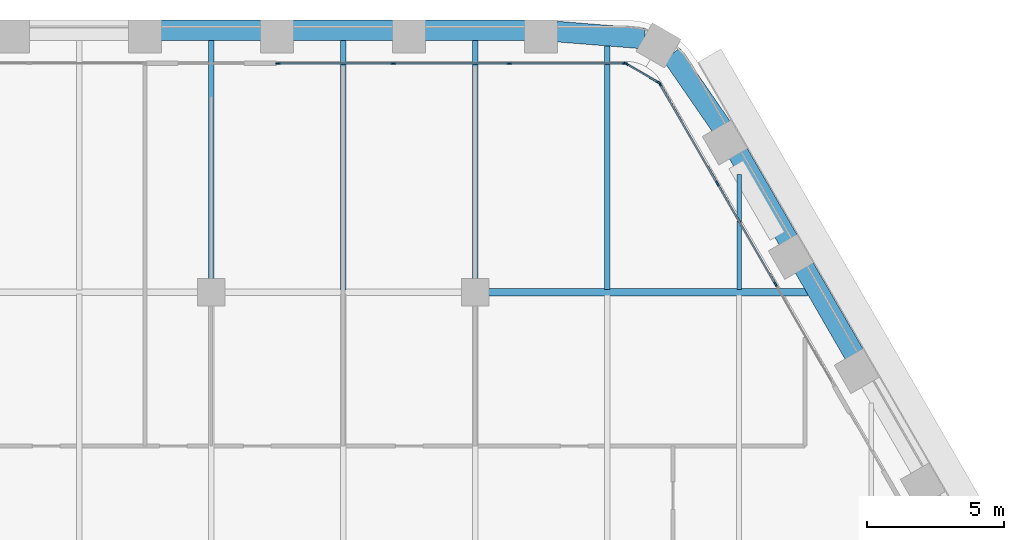
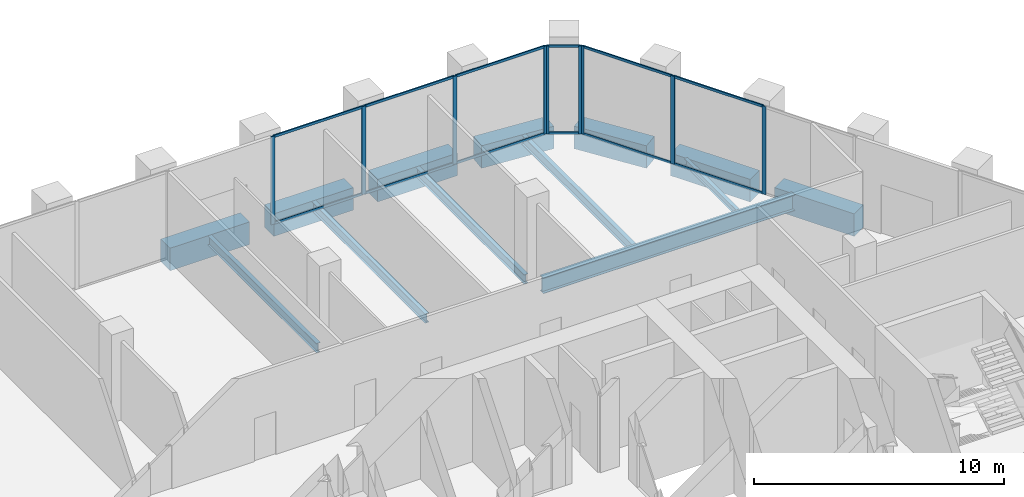
# One storey, part 9 of 23: 21 members, 13 beams, 3 elements without a shape of their own.
"""IFC4 building model written with IfcOpenShell, lengths in metres."""

from ifc_helpers import new_model, si_unit, direction, frame, origin, origin_2d, place, context, subcontext, project, spatial, rectangle, i_section, extrude, material, material_profile, profile_set, type_object, element, aggregate, save


model = new_model("IFC4")

# Units and contexts
model_context = context("Model", 3, precision=1e-05, world=origin(), true_north=direction((0.0, 1.0)))
body_context = subcontext(model_context, "Body", "Model", "MODEL_VIEW")
ifc_project = project(units=[si_unit("LENGTHUNIT", "METRE"), si_unit("AREAUNIT", "SQUARE_METRE"), si_unit("VOLUMEUNIT", "CUBIC_METRE"), si_unit("PLANEANGLEUNIT", "RADIAN"), si_unit("MASSUNIT", "GRAM", prefix="KILO")], contexts=[model_context])

# Site, building, storey
site_placement = place(None, origin())
site = spatial("IfcSite", under=ifc_project, at=site_placement, CompositionType="ELEMENT")
building_placement = place(site_placement, origin())
building = spatial("IfcBuilding", under=site, at=building_placement, Name="Kolab Exchange Tower", CompositionType="ELEMENT")
storey_placement = place(building_placement, frame((0.0, 0.0, 100.39990234375)))
storey = spatial("IfcBuildingStorey", under=building, at=storey_placement, Name="L19", CompositionType="ELEMENT", Elevation=100.39990234375)

# Beams
ifc_material_1 = material(Name="Steel S355", Category="steel")
ifc_material_profile_1 = material_profile(ifc_material_1, i_section(OverallWidth=0.1650390625, OverallDepth=0.31005859375, WebThickness=0.005859375, FlangeThickness=0.009765625, at=origin_2d()), Name="W310X39")
ifc_profile_set_1 = profile_set([ifc_material_profile_1], Name="Steel S355")
beam_type_1 = type_object("IfcBeamType", Name="FLOOR BEAM W310X39", PredefinedType="BEAM", material=ifc_profile_set_1)
beam_1_placement = place(storey_placement, frame((19.199951171875, 19.29345703125, -0.35498046875), z_axis=(0.0, 1.0, 0.0), x_axis=(-1.0, 0.0, 0.0)))
element("IfcBeam", 1, at=beam_1_placement, inside=storey, type_object=beam_type_1, Name="beam/L19/fr/045", PredefinedType="BEAM", context=body_context, shape_type="SweptSolid", body=[
    extrude(i_section(OverallWidth=0.1650390625, OverallDepth=0.31005859375, WebThickness=0.005859375, FlangeThickness=0.009765625, at=origin_2d()), origin(), (0.0, 0.0, 1.0), 4.18798828125),
])
ifc_material_profile_2 = material_profile(ifc_material_1, i_section(OverallWidth=0.18994140625, OverallDepth=0.45703125, WebThickness=0.009033203125, FlangeThickness=0.014404296875, at=origin_2d()), Name="W460X74")
ifc_profile_set_2 = profile_set([ifc_material_profile_2], Name="Steel S355")
beam_type_2 = type_object("IfcBeamType", Name="FLOOR BEAM W460X74", PredefinedType="BEAM", material=ifc_profile_set_2)
beam_2_placement = place(storey_placement, frame((0.0, 19.659912109375, -0.428466796875), z_axis=(0.0, 1.0, 0.0), x_axis=(-1.0, 0.0, 0.0)))
element("IfcBeam", 2, at=beam_2_placement, inside=storey, type_object=beam_type_2, Name="beam/L19/fr/027", PredefinedType="BEAM", context=body_context, shape_type="SweptSolid", body=[
    extrude(i_section(OverallWidth=0.18994140625, OverallDepth=0.45703125, WebThickness=0.009033203125, FlangeThickness=0.014404296875, at=origin_2d()), origin(), (0.0, 0.0, 1.0), 8.728515625),
])
beam_3_placement = place(storey_placement, frame((4.800048828125, 19.27392578125, -0.428466796875), z_axis=(0.0, 1.0, 0.0), x_axis=(-1.0, 0.0, 0.0)))
element("IfcBeam", 3, at=beam_3_placement, inside=storey, type_object=beam_type_2, Name="beam/L19/fr/031", PredefinedType="BEAM", context=body_context, shape_type="SweptSolid", body=[
    extrude(i_section(OverallWidth=0.18994140625, OverallDepth=0.45703125, WebThickness=0.009033203125, FlangeThickness=0.014404296875, at=origin_2d()), origin(), (0.0, 0.0, 1.0), 9.114501953125),
])
beam_4_placement = place(storey_placement, frame((9.60009765625, 19.659912109375, -0.428466796875), z_axis=(0.0, 1.0, 0.0), x_axis=(-1.0, 0.0, 0.0)))
element("IfcBeam", 4, at=beam_4_placement, inside=storey, type_object=beam_type_2, Name="beam/L19/fr/035", PredefinedType="BEAM", context=body_context, shape_type="SweptSolid", body=[
    extrude(i_section(OverallWidth=0.18994140625, OverallDepth=0.45703125, WebThickness=0.009033203125, FlangeThickness=0.014404296875, at=origin_2d()), origin(), (0.0, 0.0, 1.0), 8.728515625),
])
beam_5_placement = place(storey_placement, frame((14.39990234375, 19.29345703125, -0.428466796875), z_axis=(0.0, 1.0, 0.0), x_axis=(-1.0, 0.0, 0.0)))
element("IfcBeam", 5, at=beam_5_placement, inside=storey, type_object=beam_type_2, Name="beam/L19/fr/039", PredefinedType="BEAM", context=body_context, shape_type="SweptSolid", body=[
    extrude(i_section(OverallWidth=0.18994140625, OverallDepth=0.45703125, WebThickness=0.009033203125, FlangeThickness=0.014404296875, at=origin_2d()), origin(), (0.0, 0.0, 1.0), 8.901123046875),
])
ifc_material_profile_3 = material_profile(ifc_material_1, i_section(OverallWidth=0.26708984375, OverallDepth=0.761962890625, WebThickness=0.014404296875, FlangeThickness=0.021484375, at=origin_2d()), Name="W760X173")
ifc_profile_set_3 = profile_set([ifc_material_profile_3], Name="Steel S355")
beam_type_3 = type_object("IfcBeamType", Name="FLOOR GIRDER W760X173", PredefinedType="BEAM", material=ifc_profile_set_3)
beam_6_placement = place(storey_placement, frame((10.06005859375, 19.199951171875, -0.580810546875), z_axis=(1.0, 0.0, 0.0), x_axis=(0.0, 1.0, 0.0)))
element("IfcBeam", 6, at=beam_6_placement, inside=storey, type_object=beam_type_3, Name="beam/L19/gd/013", PredefinedType="BEAM", context=body_context, shape_type="SweptSolid", body=[
    extrude(i_section(OverallWidth=0.26708984375, OverallDepth=0.761962890625, WebThickness=0.014404296875, FlangeThickness=0.021484375, at=origin_2d()), origin(), (0.0, 0.0, 1.0), 11.628662109375),
])
ifc_material_2 = material(Name="Concrete C70/85", Category="concrete")
ifc_material_profile_4 = material_profile(ifc_material_2, rectangle(XDim=0.75, YDim=1.10009765625, at=origin_2d()), Name="RC750X1100")
ifc_profile_set_4 = profile_set([ifc_material_profile_4], Name="Concrete C70/85")
beam_type_4 = type_object("IfcBeamType", Name="SPANDREL BEAM 750X1100 C70/85", PredefinedType="BEAM", material=ifc_profile_set_4)
beam_7_placement = place(storey_placement, frame((-1.840087890625, 28.723388671875, -0.75), z_axis=(1.0, 0.0, 0.0), x_axis=(0.0, 1.0, 0.0)))
element("IfcBeam", 7, at=beam_7_placement, inside=storey, type_object=beam_type_4, Name="beam/L19/sp/F1-04", PredefinedType="BEAM", context=body_context, shape_type="SweptSolid", body=[
    extrude(rectangle(XDim=0.75, YDim=1.10009765625, at=origin_2d()), origin(), (0.0, 0.0, 1.0), 3.68017578125),
])
for number, where, z_axis, x_axis, name in (
    (8, (2.9599609375, 28.723388671875, -0.75), (1.0, 0.0, 0.0), (0.0, 1.0, 0.0), "beam/L19/sp/F1-05"),
    (9, (7.760009765625, 28.723388671875, -0.75), (1.0, 0.0, 0.0), (0.0, 1.0, 0.0), "beam/L19/sp/F1-06"),
):
    element("IfcBeam", number, at=place(storey_placement, frame(where, z_axis=z_axis, x_axis=x_axis)), inside=storey, type_object=beam_type_4, Name=name, PredefinedType="BEAM", context=body_context, shape_type="SweptSolid", body=[
        extrude(rectangle(XDim=0.75, YDim=1.10009765625, at=origin_2d()), origin(), (0.0, 0.0, 1.0), 3.679931640625),
    ])
for number, where, z_axis, x_axis, name in (
    (10, (12.56005859375, 28.678466796875, -0.75), (0.996791038408, -0.080047646748, 0.0), (0.080047646748, 0.996791038408, 0.0), "beam/L19/sp/F1-07"),
    (11, (16.73486328125, 27.85791015625, -0.75), (0.567661826262, -0.823261836237, 0.0), (0.823261836237, 0.567661826262, 0.0), "beam/L19/sp/F2-01"),
):
    element("IfcBeam", number, at=place(storey_placement, frame(where, z_axis=z_axis, x_axis=x_axis)), inside=storey, type_object=beam_type_4, Name=name, PredefinedType="BEAM", context=body_context, shape_type="SweptSolid", body=[
        extrude(rectangle(XDim=0.75, YDim=1.10009765625, at=origin_2d()), origin(), (0.0, 0.0, 1.0), 3.20849609375),
    ])
for number, where, z_axis, x_axis, name in (
    (12, (19.1552734375, 24.26904296875, -0.75), (0.500013413428, -0.866017659399, 0.0), (0.866017659399, 0.500013413428, 0.0), "beam/L19/sp/F2-02"),
    (13, (21.55517578125, 20.112060546875, -0.75), (0.500013413428, -0.866017659399, 0.0), (0.866017659399, 0.500013413428, 0.0), "beam/L19/sp/F2-03"),
):
    element("IfcBeam", number, at=place(storey_placement, frame(where, z_axis=z_axis, x_axis=x_axis)), inside=storey, type_object=beam_type_4, Name=name, PredefinedType="BEAM", context=body_context, shape_type="SweptSolid", body=[
        extrude(rectangle(XDim=0.75, YDim=1.10009765625, at=origin_2d()), origin(), (0.0, 0.0, 1.0), 3.68017578125),
    ])

# Curtain wall, members
ifc_material_3 = material(Name="Aluminium EN AW-6063 T6", Category="aluminium")
curtain_wall_type = type_object("IfcCurtainWallType", Name="UNITISED LOWER MID ZONE CURTAIN WALL", PredefinedType="NOTDEFINED", material=ifc_material_3)
curtain_wall_1_placement = place(storey_placement, origin())
curtain_wall_1 = element("IfcCurtainWall", 14, at=curtain_wall_1_placement, inside=storey, type_object=curtain_wall_type, Name="cw/L19/F1-2", PredefinedType="NOTDEFINED")
ifc_material_profile_5 = material_profile(ifc_material_3, rectangle(XDim=0.06005859375, YDim=0.179931640625, at=origin_2d()), Name="RECT 60X180")
ifc_profile_set_5 = profile_set([ifc_material_profile_5], Name="Aluminium EN AW-6063 T6")
member_type_1 = type_object("IfcMemberType", Name="UNITISED LOWER MID ZONE MULLION 60 X 180", PredefinedType="MULLION", material=ifc_profile_set_5)
member_1_placement = place(storey_placement, frame((2.429931640625, 27.5185546875, 0.0), z_axis=(0.0, 0.0, 1.0), x_axis=(0.0, 1.0, 0.0)))
member_1 = element("IfcMember", 15, at=member_1_placement, type_object=member_type_1, Name="CW2 mullion 1", PredefinedType="MULLION", context=body_context, shape_type="SweptSolid", body=[
    extrude(rectangle(XDim=0.06005859375, YDim=0.179931640625, at=origin_2d()), origin(), (0.0, 0.0, 1.0), 4.300048828125),
])
member_2_placement = place(storey_placement, frame((6.62255859375, 27.5185546875, 0.0), z_axis=(0.0, 0.0, 1.0), x_axis=(0.0, 1.0, 0.0)))
member_2 = element("IfcMember", 16, at=member_2_placement, type_object=member_type_1, Name="CW2 mullion 2", PredefinedType="MULLION", context=body_context, shape_type="SweptSolid", body=[
    extrude(rectangle(XDim=0.06005859375, YDim=0.179931640625, at=origin_2d()), origin(), (0.0, 0.0, 1.0), 4.300048828125),
])
member_3_placement = place(storey_placement, frame((10.84521484375, 27.5185546875, 0.0), z_axis=(0.0, 0.0, 1.0), x_axis=(0.0, 1.0, 0.0)))
member_3 = element("IfcMember", 17, at=member_3_placement, type_object=member_type_1, Name="CW2 mullion 3", PredefinedType="MULLION", context=body_context, shape_type="SweptSolid", body=[
    extrude(rectangle(XDim=0.06005859375, YDim=0.179931640625, at=origin_2d()), origin(), (0.0, 0.0, 1.0), 4.300048828125),
])
member_4_placement = place(storey_placement, frame((15.037841796875, 27.5185546875, 0.0), z_axis=(0.0, 0.0, 1.0), x_axis=(0.0, 1.0, 0.0)))
member_4 = element("IfcMember", 18, at=member_4_placement, type_object=member_type_1, Name="CW2 mullion 4", PredefinedType="MULLION", context=body_context, shape_type="SweptSolid", body=[
    extrude(rectangle(XDim=0.06005859375, YDim=0.179931640625, at=origin_2d()), origin(), (0.0, 0.0, 1.0), 4.300048828125),
])

curtain_wall_2_placement = place(storey_placement, origin())
curtain_wall_2 = element("IfcCurtainWall", 19, at=curtain_wall_2_placement, inside=storey, type_object=curtain_wall_type, Name="cw/L19/F2-1", PredefinedType="NOTDEFINED")
member_5_placement = place(storey_placement, frame((16.312744140625, 26.782470703125, 0.0), z_axis=(0.0, 0.0, 1.0), x_axis=(0.866025393644, 0.500000017564, 0.0)))
member_5 = element("IfcMember", 20, at=member_5_placement, type_object=member_type_1, Name="CW2 mullion 1", PredefinedType="MULLION", context=body_context, shape_type="SweptSolid", body=[
    extrude(rectangle(XDim=0.06005859375, YDim=0.179931640625, at=origin_2d()), origin(), (0.0, 0.0, 1.0), 4.300048828125),
])
member_6_placement = place(storey_placement, frame((18.408935546875, 23.151611328125, 0.0), z_axis=(0.0, 0.0, 1.0), x_axis=(0.866025393644, 0.500000017564, 0.0)))
member_6 = element("IfcMember", 21, at=member_6_placement, type_object=member_type_1, Name="CW2 mullion 2", PredefinedType="MULLION", context=body_context, shape_type="SweptSolid", body=[
    extrude(rectangle(XDim=0.06005859375, YDim=0.179931640625, at=origin_2d()), origin(), (0.0, 0.0, 1.0), 4.300048828125),
])
member_7_placement = place(storey_placement, frame((20.520263671875, 19.49462890625, 0.0), z_axis=(0.0, 0.0, 1.0), x_axis=(0.866025393644, 0.500000017564, 0.0)))
member_7 = element("IfcMember", 22, at=member_7_placement, type_object=member_type_1, Name="CW2 mullion 3", PredefinedType="MULLION", context=body_context, shape_type="SweptSolid", body=[
    extrude(rectangle(XDim=0.06005859375, YDim=0.179931640625, at=origin_2d()), origin(), (0.0, 0.0, 1.0), 4.300048828125),
])

curtain_wall_3_placement = place(storey_placement, origin())
curtain_wall_3 = element("IfcCurtainWall", 23, at=curtain_wall_3_placement, inside=storey, type_object=curtain_wall_type, Name="cw/L19/F1F2-corner", PredefinedType="NOTDEFINED")
member_8_placement = place(storey_placement, frame((15.093994140625, 27.50341796875, 0.0), z_axis=(0.0, 0.0, 1.0), x_axis=(0.50000002237, 0.866025390869, 0.0)))
member_8 = element("IfcMember", 24, at=member_8_placement, type_object=member_type_1, Name="CW2 mullion 1", PredefinedType="MULLION", context=body_context, shape_type="SweptSolid", body=[
    extrude(rectangle(XDim=0.06005859375, YDim=0.179931640625, at=origin_2d()), origin(), (0.0, 0.0, 1.0), 4.300048828125),
])
member_9_placement = place(storey_placement, frame((16.271728515625, 26.823486328125, 0.0), z_axis=(0.0, 0.0, 1.0), x_axis=(0.50000002237, 0.866025390869, 0.0)))
member_9 = element("IfcMember", 25, at=member_9_placement, type_object=member_type_1, Name="CW2 mullion 2", PredefinedType="MULLION", context=body_context, shape_type="SweptSolid", body=[
    extrude(rectangle(XDim=0.06005859375, YDim=0.179931640625, at=origin_2d()), origin(), (0.0, 0.0, 1.0), 4.300048828125),
])

# Member
ifc_material_profile_6 = material_profile(ifc_material_3, rectangle(XDim=0.06005859375, YDim=0.1201171875, at=origin_2d()), Name="RECT 60X120")
ifc_profile_set_6 = profile_set([ifc_material_profile_6], Name="Aluminium EN AW-6063 T6")
member_type_2 = type_object("IfcMemberType", Name="UNITISED LOWER MID ZONE TRANSOM 60 X 120", PredefinedType="USERDEFINED", material=ifc_profile_set_6)
member_10_placement = place(storey_placement, frame((2.4599609375, 27.5185546875, 0.030029296875), z_axis=(1.0, 0.0, 0.0), x_axis=(0.0, 1.0, 0.0)))
member_10 = element("IfcMember", 26, at=member_10_placement, type_object=member_type_2, Name="CW2 transom 1.1", ObjectType="TRANSOM", PredefinedType="USERDEFINED", context=body_context, shape_type="SweptSolid", body=[
    extrude(rectangle(XDim=0.06005859375, YDim=0.1201171875, at=origin_2d()), origin(), (0.0, 0.0, 1.0), 4.132568359375),
])

member_11_placement = place(storey_placement, frame((2.4599609375, 27.5185546875, 4.27001953125), z_axis=(1.0, 0.0, 0.0), x_axis=(0.0, 1.0, 0.0)))
member_11 = element("IfcMember", 27, at=member_11_placement, type_object=member_type_2, Name="CW2 transom 1.2", ObjectType="TRANSOM", PredefinedType="USERDEFINED", context=body_context, shape_type="SweptSolid", body=[
    extrude(rectangle(XDim=0.06005859375, YDim=0.1201171875, at=origin_2d()), origin(), (0.0, 0.0, 1.0), 4.132568359375),
])

member_12_placement = place(storey_placement, frame((6.652587890625, 27.5185546875, 0.030029296875), z_axis=(1.0, 0.0, 0.0), x_axis=(0.0, 1.0, 0.0)))
member_12 = element("IfcMember", 28, at=member_12_placement, type_object=member_type_2, Name="CW2 transom 2.1", ObjectType="TRANSOM", PredefinedType="USERDEFINED", context=body_context, shape_type="SweptSolid", body=[
    extrude(rectangle(XDim=0.06005859375, YDim=0.1201171875, at=origin_2d()), origin(), (0.0, 0.0, 1.0), 4.16259765625),
])

member_13_placement = place(storey_placement, frame((6.652587890625, 27.5185546875, 4.27001953125), z_axis=(1.0, 0.0, 0.0), x_axis=(0.0, 1.0, 0.0)))
member_13 = element("IfcMember", 29, at=member_13_placement, type_object=member_type_2, Name="CW2 transom 2.2", ObjectType="TRANSOM", PredefinedType="USERDEFINED", context=body_context, shape_type="SweptSolid", body=[
    extrude(rectangle(XDim=0.06005859375, YDim=0.1201171875, at=origin_2d()), origin(), (0.0, 0.0, 1.0), 4.16259765625),
])

member_14_placement = place(storey_placement, frame((10.875244140625, 27.5185546875, 0.030029296875), z_axis=(1.0, 0.0, 0.0), x_axis=(0.0, 1.0, 0.0)))
member_14 = element("IfcMember", 30, at=member_14_placement, type_object=member_type_2, Name="CW2 transom 3.1", ObjectType="TRANSOM", PredefinedType="USERDEFINED", context=body_context, shape_type="SweptSolid", body=[
    extrude(rectangle(XDim=0.06005859375, YDim=0.1201171875, at=origin_2d()), origin(), (0.0, 0.0, 1.0), 4.1328125),
])

member_15_placement = place(storey_placement, frame((10.875244140625, 27.5185546875, 4.27001953125), z_axis=(1.0, 0.0, 0.0), x_axis=(0.0, 1.0, 0.0)))
member_15 = element("IfcMember", 31, at=member_15_placement, type_object=member_type_2, Name="CW2 transom 3.2", ObjectType="TRANSOM", PredefinedType="USERDEFINED", context=body_context, shape_type="SweptSolid", body=[
    extrude(rectangle(XDim=0.06005859375, YDim=0.1201171875, at=origin_2d()), origin(), (0.0, 0.0, 1.0), 4.1328125),
])

aggregate(curtain_wall_1, [member_1, member_2, member_3, member_4, member_10, member_11, member_12, member_13, member_14, member_15])

member_16_placement = place(storey_placement, frame((16.32763671875, 26.756591796875, 0.030029296875), z_axis=(0.500001996123, -0.866024251319, 0.0), x_axis=(0.866024251319, 0.500001996123, 0.0)))
member_16 = element("IfcMember", 32, at=member_16_placement, type_object=member_type_2, Name="CW2 transom 1.1", ObjectType="TRANSOM", PredefinedType="USERDEFINED", context=body_context, shape_type="SweptSolid", body=[
    extrude(rectangle(XDim=0.06005859375, YDim=0.1201171875, at=origin_2d()), origin(), (0.0, 0.0, 1.0), 4.1328125),
])

member_17_placement = place(storey_placement, frame((16.32763671875, 26.756591796875, 4.27001953125), z_axis=(0.500001996123, -0.866024251319, 0.0), x_axis=(0.866024251319, 0.500001996123, 0.0)))
member_17 = element("IfcMember", 33, at=member_17_placement, type_object=member_type_2, Name="CW2 transom 1.2", ObjectType="TRANSOM", PredefinedType="USERDEFINED", context=body_context, shape_type="SweptSolid", body=[
    extrude(rectangle(XDim=0.06005859375, YDim=0.1201171875, at=origin_2d()), origin(), (0.0, 0.0, 1.0), 4.1328125),
])

member_18_placement = place(storey_placement, frame((18.424072265625, 23.12548828125, 0.030029296875), z_axis=(0.49999322259, -0.866029316688, 0.0), x_axis=(0.866029316688, 0.49999322259, 0.0)))
member_18 = element("IfcMember", 34, at=member_18_placement, type_object=member_type_2, Name="CW2 transom 2.1", ObjectType="TRANSOM", PredefinedType="USERDEFINED", context=body_context, shape_type="SweptSolid", body=[
    extrude(rectangle(XDim=0.06005859375, YDim=0.1201171875, at=origin_2d()), origin(), (0.0, 0.0, 1.0), 4.16259765625),
])

member_19_placement = place(storey_placement, frame((18.424072265625, 23.12548828125, 4.27001953125), z_axis=(0.49999322259, -0.866029316688, 0.0), x_axis=(0.866029316688, 0.49999322259, 0.0)))
member_19 = element("IfcMember", 35, at=member_19_placement, type_object=member_type_2, Name="CW2 transom 2.2", ObjectType="TRANSOM", PredefinedType="USERDEFINED", context=body_context, shape_type="SweptSolid", body=[
    extrude(rectangle(XDim=0.06005859375, YDim=0.1201171875, at=origin_2d()), origin(), (0.0, 0.0, 1.0), 4.16259765625),
])

aggregate(curtain_wall_2, [member_5, member_6, member_7, member_16, member_17, member_18, member_19])

member_20_placement = place(storey_placement, frame((15.119873046875, 27.488525390625, 0.030029296875), z_axis=(0.866004217611, -0.500036693733, 0.0), x_axis=(0.500036693733, 0.866004217611, 0.0)))
member_20 = element("IfcMember", 36, at=member_20_placement, type_object=member_type_2, Name="CW2 transom 1.1", ObjectType="TRANSOM", PredefinedType="USERDEFINED", context=body_context, shape_type="SweptSolid", body=[
    extrude(rectangle(XDim=0.06005859375, YDim=0.1201171875, at=origin_2d()), origin(), (0.0, 0.0, 1.0), 1.30029296875),
])

member_21_placement = place(storey_placement, frame((15.119873046875, 27.488525390625, 4.27001953125), z_axis=(0.866004217611, -0.500036693733, 0.0), x_axis=(0.500036693733, 0.866004217611, 0.0)))
member_21 = element("IfcMember", 37, at=member_21_placement, type_object=member_type_2, Name="CW2 transom 1.2", ObjectType="TRANSOM", PredefinedType="USERDEFINED", context=body_context, shape_type="SweptSolid", body=[
    extrude(rectangle(XDim=0.06005859375, YDim=0.1201171875, at=origin_2d()), origin(), (0.0, 0.0, 1.0), 1.30029296875),
])

aggregate(curtain_wall_3, [member_8, member_9, member_20, member_21])

save(model, "model.ifc")
